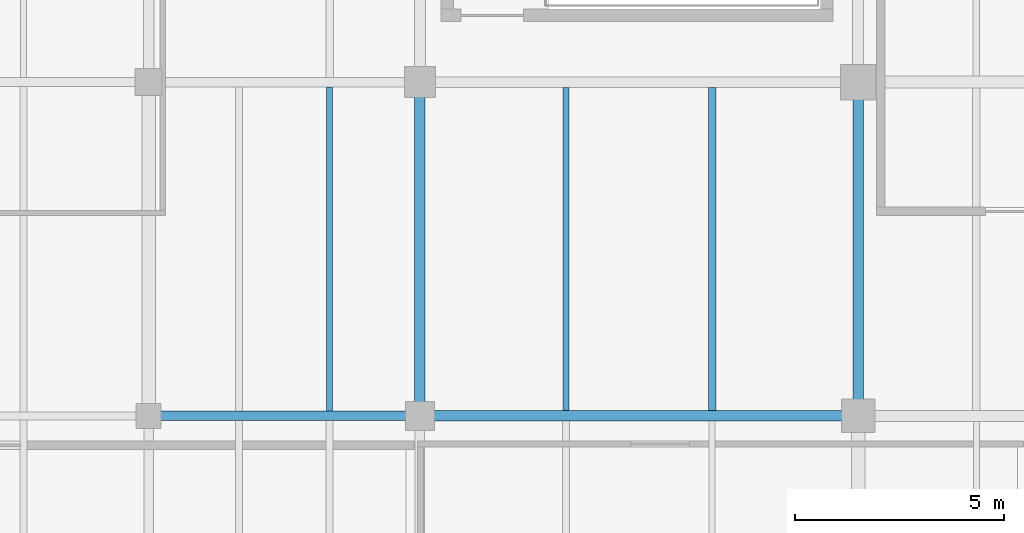
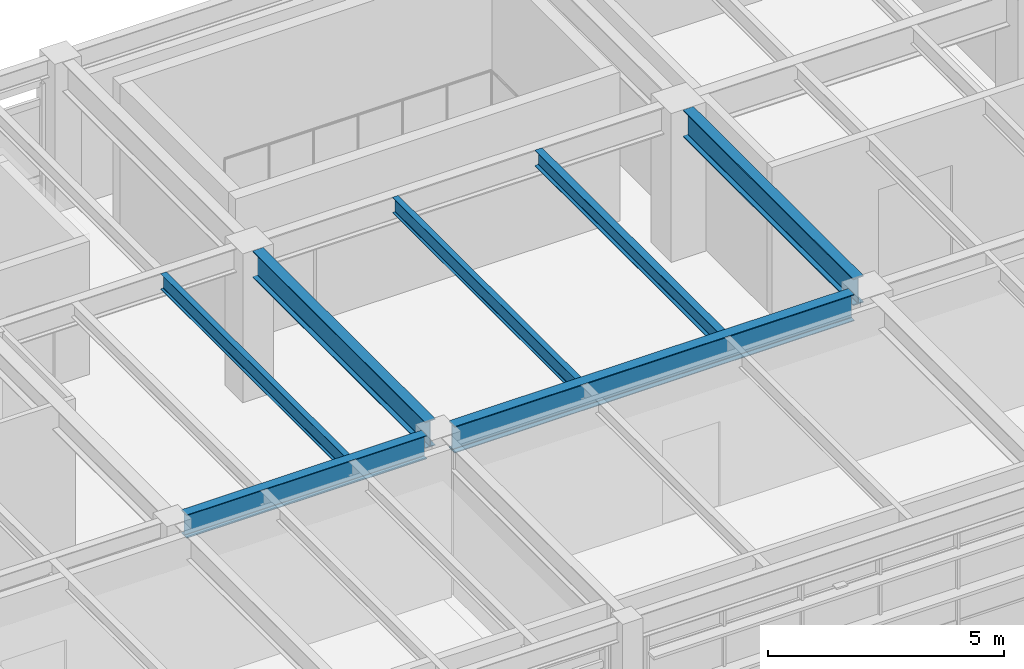
# One storey, part 6 of 26: 7 beams.
"""IFC4 building model written with IfcOpenShell, lengths in metres."""

from ifc_helpers import new_model, si_unit, direction, frame, origin, origin_2d, place, context, subcontext, project, spatial, i_section, extrude, material, material_profile, profile_set, type_object, element, save


model = new_model("IFC4")

# Units and contexts
model_context = context("Model", 3, precision=1e-05, world=origin(), true_north=direction((0.0, 1.0)))
body_context = subcontext(model_context, "Body", "Model", "MODEL_VIEW")
ifc_project = project(units=[si_unit("LENGTHUNIT", "METRE"), si_unit("AREAUNIT", "SQUARE_METRE"), si_unit("VOLUMEUNIT", "CUBIC_METRE"), si_unit("PLANEANGLEUNIT", "RADIAN"), si_unit("MASSUNIT", "GRAM", prefix="KILO"), si_unit("THERMODYNAMICTEMPERATUREUNIT", "KELVIN"), si_unit("POWERUNIT", "WATT")], contexts=[model_context])

# Site, building, storey
site_placement = place(None, origin())
site = spatial("IfcSite", under=ifc_project, at=site_placement, CompositionType="ELEMENT")
building_placement = place(site_placement, origin())
building = spatial("IfcBuilding", under=site, at=building_placement, Name="Tepalcoro Natatorium and Aquatics Centre", CompositionType="ELEMENT")
storey_placement = place(building_placement, frame((0.0, 0.0, 19.0)))
storey = spatial("IfcBuildingStorey", under=building, at=storey_placement, Name="L04", CompositionType="ELEMENT", Elevation=19.0)

# Beams
ifc_material = material(Name="Steel ASTM A992 Grade 50 (Fy 345 MPa)", Category="steel")
ifc_material_profile_1 = material_profile(ifc_material, i_section(OverallWidth=0.22802734375, OverallDepth=0.60693359375, WebThickness=0.010986328125, FlangeThickness=0.01708984375, FilletRadius=0.013916015625, at=origin_2d()), Name="W24X76")
ifc_profile_set_1 = profile_set([ifc_material_profile_1], Name="Steel ASTM A992 Grade 50 (Fy 345 MPa)")
beam_type_1 = type_object("IfcBeamType", Name="BM_W24x76", PredefinedType="BEAM", material=ifc_profile_set_1)
beam_1_placement = place(storey_placement, frame((125.284912109375, 102.0, 3.531494140625), z_axis=(1.0, 0.0, 0.0), x_axis=(0.0, 1.0, 0.0)))
element("IfcBeam", 1, at=beam_1_placement, inside=storey, type_object=beam_type_1, Name="V5 L04 Grid Girder X", PredefinedType="BEAM", context=body_context, shape_type="SweptSolid", body=[
    extrude(i_section(OverallWidth=0.22802734375, OverallDepth=0.60693359375, WebThickness=0.010986328125, FlangeThickness=0.01708984375, FilletRadius=0.013916015625, at=origin_2d()), origin(), (0.0, 0.0, 1.0), 5.880126953125),
])
ifc_material_profile_2 = material_profile(ifc_material, i_section(OverallWidth=0.25390625, OverallDepth=0.68798828125, WebThickness=0.012939453125, FlangeThickness=0.02099609375, FilletRadius=0.013916015625, at=origin_2d()), Name="W27X102")
ifc_profile_set_2 = profile_set([ifc_material_profile_2], Name="Steel ASTM A992 Grade 50 (Fy 345 MPa)")
beam_type_2 = type_object("IfcBeamType", Name="BM_W27x102", PredefinedType="BEAM", material=ifc_profile_set_2)
beam_2_placement = place(storey_placement, frame((131.8349609375, 102.0, 3.490966796875), z_axis=(1.0, 0.0, 0.0), x_axis=(0.0, 1.0, 0.0)))
element("IfcBeam", 2, at=beam_2_placement, inside=storey, type_object=beam_type_2, Name="V5 L04 Grid Girder X", PredefinedType="BEAM", context=body_context, shape_type="SweptSolid", body=[
    extrude(i_section(OverallWidth=0.25390625, OverallDepth=0.68798828125, WebThickness=0.012939453125, FlangeThickness=0.02099609375, FilletRadius=0.013916015625, at=origin_2d()), origin(), (0.0, 0.0, 1.0), 9.780029296875),
])
beam_3_placement = place(storey_placement, frame((131.5, 102.3349609375, 3.490966796875), z_axis=(0.0, 1.0, 0.0), x_axis=(-1.0, 0.0, 0.0)))
element("IfcBeam", 3, at=beam_3_placement, inside=storey, type_object=beam_type_2, Name="V5 L04 Grid Girder Y", PredefinedType="BEAM", context=body_context, shape_type="SweptSolid", body=[
    extrude(i_section(OverallWidth=0.25390625, OverallDepth=0.68798828125, WebThickness=0.012939453125, FlangeThickness=0.02099609375, FilletRadius=0.013916015625, at=origin_2d()), origin(), (0.0, 0.0, 1.0), 7.304931640625),
])
ifc_material_profile_3 = material_profile(ifc_material, i_section(OverallWidth=0.25390625, OverallDepth=0.700927734375, WebThickness=0.014892578125, FlangeThickness=0.028076171875, FilletRadius=0.013916015625, at=origin_2d()), Name="W27X129")
ifc_profile_set_3 = profile_set([ifc_material_profile_3], Name="Steel ASTM A992 Grade 50 (Fy 345 MPa)")
beam_type_3 = type_object("IfcBeamType", Name="BM_W27x129", PredefinedType="BEAM", material=ifc_profile_set_3)
beam_4_placement = place(storey_placement, frame((142.0, 102.385009765625, 3.484619140625), z_axis=(0.0, 1.0, 0.0), x_axis=(-1.0, 0.0, 0.0)))
element("IfcBeam", 4, at=beam_4_placement, inside=storey, type_object=beam_type_3, Name="V5 L04 Grid Girder Y", PredefinedType="BEAM", context=body_context, shape_type="SweptSolid", body=[
    extrude(i_section(OverallWidth=0.25390625, OverallDepth=0.700927734375, WebThickness=0.014892578125, FlangeThickness=0.028076171875, FilletRadius=0.013916015625, at=origin_2d()), origin(), (0.0, 0.0, 1.0), 7.205078125),
])
ifc_material_profile_4 = material_profile(ifc_material, i_section(OverallWidth=0.139892578125, OverallDepth=0.404052734375, WebThickness=0.007080078125, FlangeThickness=0.010986328125, FilletRadius=0.013916015625, at=origin_2d()), Name="W16X31")
ifc_profile_set_4 = profile_set([ifc_material_profile_4], Name="Steel ASTM A992 Grade 50 (Fy 345 MPa)")
beam_type_4 = type_object("IfcBeamType", Name="JS_W16x31", PredefinedType="JOIST", material=ifc_profile_set_4)
beam_5_placement = place(storey_placement, frame((129.333251953125, 102.114013671875, 3.633056640625), z_axis=(0.0, 1.0, 0.0), x_axis=(-1.0, 0.0, 0.0)))
element("IfcBeam", 5, at=beam_5_placement, inside=storey, type_object=beam_type_4, Name="V5 L04 Floor Joist", PredefinedType="JOIST", context=body_context, shape_type="SweptSolid", body=[
    extrude(i_section(OverallWidth=0.139892578125, OverallDepth=0.404052734375, WebThickness=0.007080078125, FlangeThickness=0.010986328125, FilletRadius=0.013916015625, at=origin_2d()), origin(), (0.0, 0.0, 1.0), 7.77099609375),
])
beam_6_placement = place(storey_placement, frame((135.0, 102.126953125, 3.633056640625), z_axis=(0.0, 1.0, 0.0), x_axis=(-1.0, 0.0, 0.0)))
element("IfcBeam", 6, at=beam_6_placement, inside=storey, type_object=beam_type_4, Name="V5 L04 Floor Joist", PredefinedType="JOIST", context=body_context, shape_type="SweptSolid", body=[
    extrude(i_section(OverallWidth=0.139892578125, OverallDepth=0.404052734375, WebThickness=0.007080078125, FlangeThickness=0.010986328125, FilletRadius=0.013916015625, at=origin_2d()), origin(), (0.0, 0.0, 1.0), 7.74609375),
])
ifc_material_profile_5 = material_profile(ifc_material, i_section(OverallWidth=0.178955078125, OverallDepth=0.409912109375, WebThickness=0.009033203125, FlangeThickness=0.013916015625, FilletRadius=0.013916015625, at=origin_2d()), Name="W16X45")
ifc_profile_set_5 = profile_set([ifc_material_profile_5], Name="Steel ASTM A992 Grade 50 (Fy 345 MPa)")
beam_type_5 = type_object("IfcBeamType", Name="JS_W16x45", PredefinedType="JOIST", material=ifc_profile_set_5)
beam_7_placement = place(storey_placement, frame((138.5, 102.126953125, 3.6298828125), z_axis=(0.0, 1.0, 0.0), x_axis=(-1.0, 0.0, 0.0)))
element("IfcBeam", 7, at=beam_7_placement, inside=storey, type_object=beam_type_5, Name="V5 L04 Floor Joist", PredefinedType="JOIST", context=body_context, shape_type="SweptSolid", body=[
    extrude(i_section(OverallWidth=0.178955078125, OverallDepth=0.409912109375, WebThickness=0.009033203125, FlangeThickness=0.013916015625, FilletRadius=0.013916015625, at=origin_2d()), origin(), (0.0, 0.0, 1.0), 7.74609375),
])

save(model, "model.ifc")
